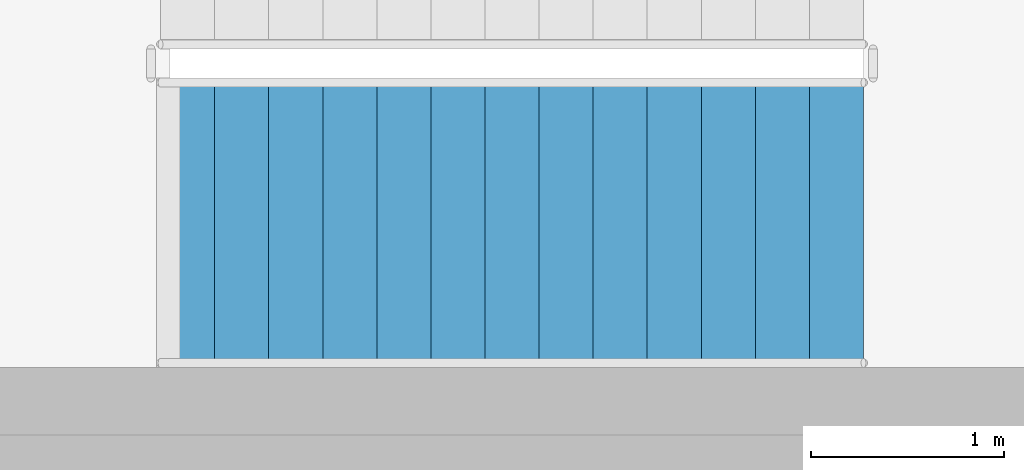
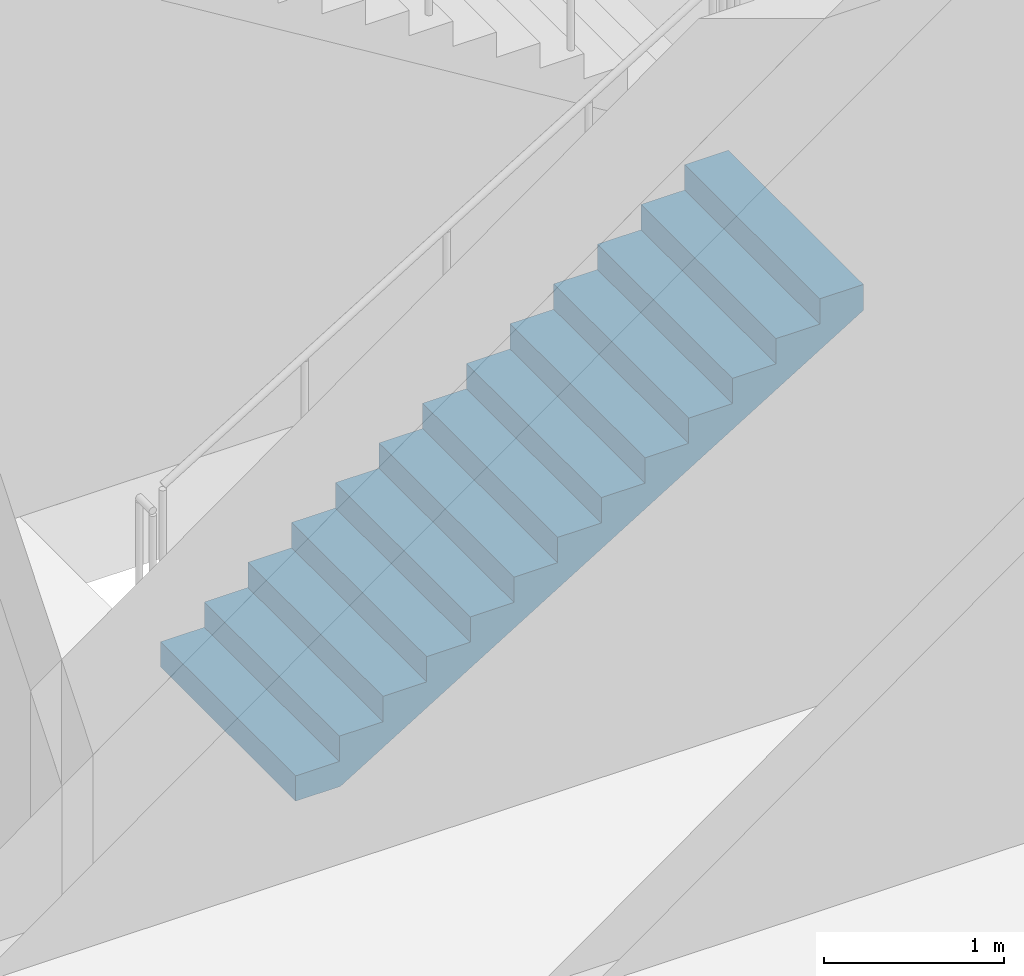
# One storey, part 69 of 91: 1 stair flight, 1 element without a shape of its own.
"""IFC4 building model written with IfcOpenShell, lengths in metres."""

from ifc_helpers import new_model, si_unit, direction, frame, origin, place, context, subcontext, project, spatial, triangles, material, type_object, element, aggregate, save


model = new_model("IFC4")

# Units and contexts
model_context = context("Model", 3, precision=1e-05, world=origin(), true_north=direction((0.0, 1.0)))
body_context = subcontext(model_context, "Body", "Model", "MODEL_VIEW")
ifc_project = project(units=[si_unit("LENGTHUNIT", "METRE"), si_unit("AREAUNIT", "SQUARE_METRE"), si_unit("VOLUMEUNIT", "CUBIC_METRE"), si_unit("PLANEANGLEUNIT", "RADIAN"), si_unit("MASSUNIT", "GRAM", prefix="KILO")], contexts=[model_context])

# Site, building, storey
site_placement = place(None, origin())
site = spatial("IfcSite", under=ifc_project, at=site_placement, CompositionType="ELEMENT")
building_placement = place(site_placement, origin())
building = spatial("IfcBuilding", under=site, at=building_placement, Name="Magnolia Steps Interchange", CompositionType="ELEMENT")
storey_placement = place(building_placement, origin())
storey = spatial("IfcBuildingStorey", under=building, at=storey_placement, Name="L00", CompositionType="ELEMENT", Elevation=0.0)

# Stair, stair flight
ifc_material_1 = material(Name="Concrete C40", Category="concrete")
stair_type = type_object("IfcStairType", Name="Exit stair 1500", PredefinedType="HALF_TURN_STAIR", material=ifc_material_1)
stair_placement = place(storey_placement, origin())
stair = element("IfcStair", 1, at=stair_placement, inside=storey, type_object=stair_type, Name="L00 Stair 4", PredefinedType="HALF_TURN_STAIR")
ifc_material_2 = material(Name="Concrete C40", Category="concrete")
stair_flight_type = type_object("IfcStairFlightType", Name="Exit stair flight", PredefinedType="STRAIGHT", material=ifc_material_2)
stair_flight_placement = place(storey_placement, frame((112.199951171875, 76.050048828125, 0.0), z_axis=(0.0, 0.0, 1.0), x_axis=(1.0, 0.0, 0.0)))
stair_flight = element("IfcStairFlight", 2, at=stair_flight_placement, type_object=stair_flight_type, Name="Stair 4 flight 1", NumberOfRisers=14, NumberOfTreads=13, PredefinedType="STRAIGHT", RiserHeight=0.171428571, TreadLength=0.28, context=body_context, shape_type="Tessellation", body=[
    triangles([(0.0, -0.75, 0.0), (0.287109375, -0.75, 0.0), (3.639892578125, -0.75, 2.052734375), (3.639892578125, -0.75, 2.228515625), (3.360107421875, -0.75, 2.228515625), (3.360107421875, -0.75, 2.05712890625), (3.080078125, -0.75, 2.05712890625), (3.080078125, -0.75, 1.8857421875), (2.800048828125, -0.75, 1.8857421875), (2.800048828125, -0.75, 1.71435546875), (2.52001953125, -0.75, 1.71435546875), (2.52001953125, -0.75, 1.54296875), (2.239990234375, -0.75, 1.54296875), (2.239990234375, -0.75, 1.371337890625), (1.9599609375, -0.75, 1.371337890625), (1.9599609375, -0.75, 1.199951171875), (1.679931640625, -0.75, 1.199951171875), (1.679931640625, -0.75, 1.028564453125), (1.39990234375, -0.75, 1.028564453125), (1.39990234375, -0.75, 0.857177734375), (1.1201171875, -0.75, 0.857177734375), (1.1201171875, -0.75, 0.685791015625), (0.840087890625, -0.75, 0.685791015625), (0.840087890625, -0.75, 0.514404296875), (0.56005859375, -0.75, 0.514404296875), (0.56005859375, -0.75, 0.3427734375), (0.280029296875, -0.75, 0.3427734375), (0.280029296875, -0.75, 0.17138671875), (0.0, -0.75, 0.17138671875), (0.0, 0.75, 0.0), (0.287109375, 0.75, 0.0), (3.639892578125, 0.75, 2.052734375), (3.639892578125, 0.75, 2.228515625), (3.360107421875, 0.75, 2.228515625), (3.360107421875, 0.75, 2.05712890625), (3.080078125, 0.75, 2.05712890625), (3.080078125, 0.75, 1.8857421875), (2.800048828125, 0.75, 1.8857421875), (2.800048828125, 0.75, 1.71435546875), (2.52001953125, 0.75, 1.71435546875), (2.52001953125, 0.75, 1.54296875), (2.239990234375, 0.75, 1.54296875), (2.239990234375, 0.75, 1.371337890625), (1.9599609375, 0.75, 1.371337890625), (1.9599609375, 0.75, 1.199951171875), (1.679931640625, 0.75, 1.199951171875), (1.679931640625, 0.75, 1.028564453125), (1.39990234375, 0.75, 1.028564453125), (1.39990234375, 0.75, 0.857177734375), (1.1201171875, 0.75, 0.857177734375), (1.1201171875, 0.75, 0.685791015625), (0.840087890625, 0.75, 0.685791015625), (0.840087890625, 0.75, 0.514404296875), (0.56005859375, 0.75, 0.514404296875), (0.56005859375, 0.75, 0.3427734375), (0.280029296875, 0.75, 0.3427734375), (0.280029296875, 0.75, 0.17138671875), (0.0, 0.75, 0.17138671875), (0.0, 0.0, 0.0), (0.0, 0.0, 0.0428466796875), (0.0, 0.0, 0.085693359375), (0.0, 0.0, 0.1285400390625), (0.0, 0.0, 0.17138671875), (0.0, -0.05, 0.0), (0.0, -0.05, 0.17138671875), (0.0, 0.05, 0.0), (0.0, 0.05, 0.17138671875), (0.046671549479166664, 0.0, 0.17138671875), (0.09334309895833333, 0.0, 0.17138671875), (0.1400146484375, 0.0, 0.17138671875), (0.18668619791666666, 0.0, 0.17138671875), (0.23335774739583334, 0.0, 0.17138671875), (0.280029296875, 0.0, 0.17138671875), (0.280029296875, -0.05, 0.17138671875), (0.280029296875, 0.05, 0.17138671875), (0.280029296875, 0.0, 0.2142333984375), (0.280029296875, 0.0, 0.257080078125), (0.280029296875, 0.0, 0.2999267578125), (0.280029296875, 0.0, 0.3427734375), (0.280029296875, -0.05, 0.3427734375), (0.280029296875, 0.05, 0.3427734375), (0.3267008463541667, 0.0, 0.3427734375), (0.3733723958333333, 0.0, 0.3427734375), (0.4200439453125, 0.0, 0.3427734375), (0.46671549479166663, 0.0, 0.3427734375), (0.5133870442708334, 0.0, 0.3427734375), (0.56005859375, 0.0, 0.3427734375), (0.56005859375, -0.05, 0.3427734375), (0.56005859375, 0.05, 0.3427734375), (0.56005859375, 0.0, 0.38568115234375), (0.56005859375, 0.0, 0.4285888671875), (0.56005859375, 0.0, 0.47149658203125), (0.56005859375, 0.0, 0.514404296875), (0.56005859375, -0.05, 0.514404296875), (0.56005859375, 0.05, 0.514404296875), (0.6067301432291666, 0.0, 0.514404296875), (0.6534016927083334, 0.0, 0.514404296875), (0.7000732421875, 0.0, 0.514404296875), (0.7467447916666666, 0.0, 0.514404296875), (0.7934163411458334, 0.0, 0.514404296875), (0.840087890625, 0.0, 0.514404296875), (0.840087890625, -0.05, 0.514404296875), (0.840087890625, 0.05, 0.514404296875), (0.840087890625, 0.0, 0.5572509765625), (0.840087890625, 0.0, 0.60009765625), (0.840087890625, 0.0, 0.6429443359375), (0.840087890625, 0.0, 0.685791015625), (0.840087890625, -0.05, 0.685791015625), (0.840087890625, 0.05, 0.685791015625), (0.8867594401041666, 0.0, 0.685791015625), (0.9334309895833334, 0.0, 0.685791015625), (0.9801025390625, 0.0, 0.685791015625), (1.0267740885416667, 0.0, 0.685791015625), (1.0734456380208333, 0.0, 0.685791015625), (1.1201171875, 0.0, 0.685791015625), (1.1201171875, -0.05, 0.685791015625), (1.1201171875, 0.05, 0.685791015625), (1.1201171875, 0.0, 0.7286376953125), (1.1201171875, 0.0, 0.771484375), (1.1201171875, 0.0, 0.8143310546875), (1.1201171875, 0.0, 0.857177734375), (1.1201171875, -0.05, 0.857177734375), (1.1201171875, 0.05, 0.857177734375), (1.1900634765625, 0.0, 0.857177734375), (1.260009765625, 0.0, 0.857177734375), (1.3299560546875, 0.0, 0.857177734375), (1.39990234375, 0.0, 0.857177734375), (1.39990234375, -0.05, 0.857177734375), (1.39990234375, 0.05, 0.857177734375), (1.39990234375, 0.0, 0.9000244140625), (1.39990234375, 0.0, 0.94287109375), (1.39990234375, 0.0, 0.9857177734375), (1.39990234375, 0.0, 1.028564453125), (1.39990234375, -0.05, 1.028564453125), (1.39990234375, 0.05, 1.028564453125), (1.4465738932291667, 0.0, 1.028564453125), (1.4932454427083333, 0.0, 1.028564453125), (1.5399169921875, 0.0, 1.028564453125), (1.5865885416666667, 0.0, 1.028564453125), (1.6332600911458333, 0.0, 1.028564453125), (1.679931640625, 0.0, 1.028564453125), (1.679931640625, -0.05, 1.028564453125), (1.679931640625, 0.05, 1.028564453125), (1.679931640625, 0.0, 1.0714111328125), (1.679931640625, 0.0, 1.1142578125), (1.679931640625, 0.0, 1.1571044921875), (1.679931640625, 0.0, 1.199951171875), (1.679931640625, -0.05, 1.199951171875), (1.679931640625, 0.05, 1.199951171875), (1.7266031901041667, 0.0, 1.199951171875), (1.7732747395833333, 0.0, 1.199951171875), (1.8199462890625, 0.0, 1.199951171875), (1.8666178385416667, 0.0, 1.199951171875), (1.9132893880208333, 0.0, 1.199951171875), (1.9599609375, 0.0, 1.199951171875), (1.9599609375, -0.05, 1.199951171875), (1.9599609375, 0.05, 1.199951171875), (1.9599609375, 0.0, 1.2427978515625), (1.9599609375, 0.0, 1.28564453125), (1.9599609375, 0.0, 1.3284912109375), (1.9599609375, 0.0, 1.371337890625), (1.9599609375, -0.05, 1.371337890625), (1.9599609375, 0.05, 1.371337890625), (2.0066324869791665, 0.0, 1.371337890625), (2.0533040364583335, 0.0, 1.371337890625), (2.0999755859375, 0.0, 1.371337890625), (2.1466471354166665, 0.0, 1.371337890625), (2.1933186848958335, 0.0, 1.371337890625), (2.239990234375, 0.0, 1.371337890625), (2.239990234375, -0.05, 1.371337890625), (2.239990234375, 0.05, 1.371337890625), (2.239990234375, 0.0, 1.41424560546875), (2.239990234375, 0.0, 1.4571533203125), (2.239990234375, 0.0, 1.50006103515625), (2.239990234375, 0.0, 1.54296875), (2.239990234375, -0.05, 1.54296875), (2.239990234375, 0.05, 1.54296875), (2.2866617838541665, 0.0, 1.54296875), (2.3333333333333335, 0.0, 1.54296875), (2.3800048828125, 0.0, 1.54296875), (2.4266764322916665, 0.0, 1.54296875), (2.4733479817708335, 0.0, 1.54296875), (2.52001953125, 0.0, 1.54296875), (2.52001953125, -0.05, 1.54296875), (2.52001953125, 0.05, 1.54296875), (2.52001953125, 0.0, 1.5858154296875), (2.52001953125, 0.0, 1.628662109375), (2.52001953125, 0.0, 1.6715087890625), (2.52001953125, 0.0, 1.71435546875), (2.52001953125, -0.05, 1.71435546875), (2.52001953125, 0.05, 1.71435546875), (2.5666910807291665, 0.0, 1.71435546875), (2.6133626302083335, 0.0, 1.71435546875), (2.6600341796875, 0.0, 1.71435546875), (2.7067057291666665, 0.0, 1.71435546875), (2.7533772786458335, 0.0, 1.71435546875), (2.800048828125, 0.0, 1.71435546875), (2.800048828125, -0.05, 1.71435546875), (2.800048828125, 0.05, 1.71435546875), (2.800048828125, 0.0, 1.7572021484375), (2.800048828125, 0.0, 1.800048828125), (2.800048828125, 0.0, 1.8428955078125), (2.800048828125, 0.0, 1.8857421875), (2.800048828125, -0.05, 1.8857421875), (2.800048828125, 0.05, 1.8857421875), (2.8467203776041665, 0.0, 1.8857421875), (2.8933919270833335, 0.0, 1.8857421875), (2.9400634765625, 0.0, 1.8857421875), (2.9867350260416665, 0.0, 1.8857421875), (3.0334065755208335, 0.0, 1.8857421875), (3.080078125, 0.0, 1.8857421875), (3.080078125, -0.05, 1.8857421875), (3.080078125, 0.05, 1.8857421875), (3.080078125, 0.0, 1.9285888671875), (3.080078125, 0.0, 1.971435546875), (3.080078125, 0.0, 2.0142822265625), (3.080078125, 0.0, 2.05712890625), (3.080078125, -0.05, 2.05712890625), (3.080078125, 0.05, 2.05712890625), (3.1267496744791665, 0.0, 2.05712890625), (3.1734212239583335, 0.0, 2.05712890625), (3.2200927734375, 0.0, 2.05712890625), (3.2667643229166665, 0.0, 2.05712890625), (3.3134358723958335, 0.0, 2.05712890625), (3.360107421875, 0.0, 2.05712890625), (3.360107421875, -0.05, 2.05712890625), (3.360107421875, 0.05, 2.05712890625), (3.360107421875, 0.0, 2.0999755859375), (3.360107421875, 0.0, 2.142822265625), (3.360107421875, 0.0, 2.1856689453125), (3.360107421875, 0.0, 2.228515625), (3.360107421875, -0.05, 2.228515625), (3.360107421875, 0.05, 2.228515625), (3.4300537109375, 0.0, 2.228515625), (3.5, 0.0, 2.228515625), (3.5699462890625, 0.0, 2.228515625), (3.639892578125, 0.0, 2.228515625), (3.639892578125, -0.05, 2.228515625), (3.639892578125, 0.05, 2.228515625), (3.639892578125, 0.0, 2.1845703125), (3.639892578125, 0.0, 2.140625), (3.639892578125, 0.0, 2.0966796875), (3.639892578125, 0.0, 2.052734375), (3.639892578125, -0.05, 2.052734375), (3.639892578125, 0.05, 2.052734375), (3.582085971174569, 0.0, 2.0173424030172415), (3.524279364224138, 0.0, 1.9819504310344827), (3.466472757273707, 0.0, 1.9465584590517242), (3.408666150323276, 0.0, 1.9111664870689655), (3.3508595433728448, 0.0, 1.8757745150862069), (3.2930529364224137, 0.0, 1.8403825431034484), (3.2352463294719827, 0.0, 1.8049905711206897), (3.1774397225215516, 0.0, 1.769598599137931), (3.1196331155711206, 0.0, 1.7342066271551724), (3.0618265086206895, 0.0, 1.6988146551724137), (3.004019901670259, 0.0, 1.6634226831896552), (2.9462132947198274, 0.0, 1.6280307112068966), (2.888406687769397, 0.0, 1.592638739224138), (2.8306000808189653, 0.0, 1.5572467672413794), (2.7727934738685347, 0.0, 1.5218547952586206), (2.714986866918103, 0.0, 1.486462823275862), (2.6571802599676726, 0.0, 1.4510708512931034), (2.599373653017241, 0.0, 1.4156788793103448), (2.5415670460668105, 0.0, 1.3802869073275863), (2.483760439116379, 0.0, 1.3448949353448276), (2.4259538321659484, 0.0, 1.309502963362069), (2.3681472252155173, 0.0, 1.2741109913793105), (2.3103406182650863, 0.0, 1.2387190193965516), (2.2525340113146552, 0.0, 1.2033270474137931), (2.194727404364224, 0.0, 1.1679350754310345), (2.136920797413793, 0.0, 1.1325431034482758), (2.079114190463362, 0.0, 1.0971511314655173), (2.021307583512931, 0.0, 1.0617591594827587), (1.9635009765625, 0.0, 1.0263671875), (1.905694369612069, 0.0, 0.9909752155172413), (1.847887762661638, 0.0, 0.9555832435344827), (1.7900811557112069, 0.0, 0.9201912715517242), (1.7322745487607758, 0.0, 0.8847992995689655), (1.6744679418103448, 0.0, 0.8494073275862069), (1.6166613348599137, 0.0, 0.8140153556034482), (1.5588547279094827, 0.0, 0.7786233836206897), (1.5010481209590516, 0.0, 0.743231411637931), (1.4432415140086206, 0.0, 0.7078394396551724), (1.3854349070581895, 0.0, 0.6724474676724137), (1.3276283001077585, 0.0, 0.6370554956896552), (1.2698216931573274, 0.0, 0.6016635237068966), (1.2120150862068964, 0.0, 0.5662715517241379), (1.1542084792564653, 0.0, 0.5308795797413792), (1.0964018723060347, 0.0, 0.4954876077586208), (1.0385952653556036, 0.0, 0.4600956357758621), (0.9807886584051726, 0.0, 0.4247036637931034), (0.9229820514547415, 0.0, 0.38931169181034475), (0.8651754445043105, 0.0, 0.3539197198275863), (0.8073688375538794, 0.0, 0.3185277478448276), (0.7495622306034484, 0.0, 0.28313577586206895), (0.6917556236530173, 0.0, 0.24774380387931028), (0.6339490167025863, 0.0, 0.21235183189655182), (0.5761424097521552, 0.0, 0.17695985991379315), (0.5183358028017242, 0.0, 0.14156788793103448), (0.46052919585129315, 0.0, 0.1061759159482758), (0.4027225889008621, 0.0, 0.07078394396551735), (0.34491598195043105, 0.0, 0.03539197198275845), (0.287109375, 0.0, 0.0), (0.287109375, -0.05, 0.0), (0.287109375, 0.05, 0.0), (0.2392578125, 0.0, 0.0), (0.19140625, 0.0, 0.0), (0.1435546875, 0.0, 0.0), (0.095703125, 0.0, 0.0), (0.0478515625, 0.0, 0.0)], [[1, 2, 3], [3, 4, 5], [3, 5, 6], [3, 6, 7], [3, 7, 8], [8, 9, 10], [3, 8, 10], [10, 11, 12], [3, 10, 12], [12, 13, 14], [3, 12, 14], [14, 15, 16], [3, 14, 16], [16, 17, 18], [3, 16, 18], [18, 19, 20], [3, 18, 20], [20, 21, 22], [3, 20, 22], [22, 23, 24], [3, 22, 24], [24, 25, 26], [3, 24, 26], [26, 27, 28], [3, 26, 28], [1, 3, 28], [28, 29, 1], [30, 32, 31], [32, 34, 33], [32, 35, 34], [32, 36, 35], [32, 37, 36], [37, 39, 38], [32, 39, 37], [39, 41, 40], [32, 41, 39], [41, 43, 42], [32, 43, 41], [43, 45, 44], [32, 45, 43], [45, 47, 46], [32, 47, 45], [47, 49, 48], [32, 49, 47], [49, 51, 50], [32, 51, 49], [51, 53, 52], [32, 53, 51], [53, 55, 54], [32, 55, 53], [55, 57, 56], [32, 57, 55], [30, 57, 32], [57, 30, 58], [1, 29, 65], [1, 65, 64], [64, 60, 59], [64, 61, 60], [64, 65, 61], [65, 62, 61], [65, 63, 62], [30, 67, 58], [30, 66, 67], [66, 59, 60], [66, 60, 61], [66, 61, 67], [67, 61, 62], [67, 62, 63], [29, 28, 74], [29, 74, 65], [65, 68, 63], [65, 69, 68], [65, 70, 69], [65, 74, 70], [74, 71, 70], [74, 72, 71], [74, 73, 72], [58, 75, 57], [58, 67, 75], [67, 63, 68], [67, 68, 69], [67, 69, 70], [67, 70, 75], [75, 70, 71], [75, 71, 72], [75, 72, 73], [28, 27, 80], [28, 80, 74], [74, 76, 73], [74, 77, 76], [74, 80, 77], [80, 78, 77], [80, 79, 78], [57, 81, 56], [57, 75, 81], [75, 73, 76], [75, 76, 77], [75, 77, 81], [81, 77, 78], [81, 78, 79], [27, 26, 88], [27, 88, 80], [80, 82, 79], [80, 83, 82], [80, 84, 83], [80, 88, 84], [88, 85, 84], [88, 86, 85], [88, 87, 86], [56, 89, 55], [56, 81, 89], [81, 79, 82], [81, 82, 83], [81, 83, 84], [81, 84, 89], [89, 84, 85], [89, 85, 86], [89, 86, 87], [26, 25, 94], [26, 94, 88], [88, 90, 87], [88, 91, 90], [88, 94, 91], [94, 92, 91], [94, 93, 92], [55, 95, 54], [55, 89, 95], [89, 87, 90], [89, 90, 91], [89, 91, 95], [95, 91, 92], [95, 92, 93], [25, 24, 102], [25, 102, 94], [94, 96, 93], [94, 97, 96], [94, 98, 97], [94, 102, 98], [102, 99, 98], [102, 100, 99], [102, 101, 100], [54, 103, 53], [54, 95, 103], [95, 93, 96], [95, 96, 97], [95, 97, 98], [95, 98, 103], [103, 98, 99], [103, 99, 100], [103, 100, 101], [24, 23, 108], [24, 108, 102], [102, 104, 101], [102, 105, 104], [102, 108, 105], [108, 106, 105], [108, 107, 106], [53, 109, 52], [53, 103, 109], [103, 101, 104], [103, 104, 105], [103, 105, 109], [109, 105, 106], [109, 106, 107], [23, 22, 116], [23, 116, 108], [108, 110, 107], [108, 111, 110], [108, 112, 111], [108, 116, 112], [116, 113, 112], [116, 114, 113], [116, 115, 114], [52, 117, 51], [52, 109, 117], [109, 107, 110], [109, 110, 111], [109, 111, 112], [109, 112, 117], [117, 112, 113], [117, 113, 114], [117, 114, 115], [22, 21, 122], [22, 122, 116], [116, 118, 115], [116, 119, 118], [116, 122, 119], [122, 120, 119], [122, 121, 120], [51, 123, 50], [51, 117, 123], [117, 115, 118], [117, 118, 119], [117, 119, 123], [123, 119, 120], [123, 120, 121], [21, 20, 128], [21, 128, 122], [122, 124, 121], [122, 125, 124], [122, 128, 125], [128, 126, 125], [128, 127, 126], [50, 129, 49], [50, 123, 129], [123, 121, 124], [123, 124, 125], [123, 125, 129], [129, 125, 126], [129, 126, 127], [20, 19, 134], [20, 134, 128], [128, 130, 127], [128, 131, 130], [128, 134, 131], [134, 132, 131], [134, 133, 132], [49, 135, 48], [49, 129, 135], [129, 127, 130], [129, 130, 131], [129, 131, 135], [135, 131, 132], [135, 132, 133], [19, 18, 142], [19, 142, 134], [134, 136, 133], [134, 137, 136], [134, 138, 137], [134, 142, 138], [142, 139, 138], [142, 140, 139], [142, 141, 140], [48, 143, 47], [48, 135, 143], [135, 133, 136], [135, 136, 137], [135, 137, 138], [135, 138, 143], [143, 138, 139], [143, 139, 140], [143, 140, 141], [18, 17, 148], [18, 148, 142], [142, 144, 141], [142, 145, 144], [142, 148, 145], [148, 146, 145], [148, 147, 146], [47, 149, 46], [47, 143, 149], [143, 141, 144], [143, 144, 145], [143, 145, 149], [149, 145, 146], [149, 146, 147], [17, 16, 156], [17, 156, 148], [148, 150, 147], [148, 151, 150], [148, 152, 151], [148, 156, 152], [156, 153, 152], [156, 154, 153], [156, 155, 154], [46, 157, 45], [46, 149, 157], [149, 147, 150], [149, 150, 151], [149, 151, 152], [149, 152, 157], [157, 152, 153], [157, 153, 154], [157, 154, 155], [16, 15, 162], [16, 162, 156], [156, 158, 155], [156, 159, 158], [156, 162, 159], [162, 160, 159], [162, 161, 160], [45, 163, 44], [45, 157, 163], [157, 155, 158], [157, 158, 159], [157, 159, 163], [163, 159, 160], [163, 160, 161], [15, 14, 170], [15, 170, 162], [162, 164, 161], [162, 165, 164], [162, 166, 165], [162, 170, 166], [170, 167, 166], [170, 168, 167], [170, 169, 168], [44, 171, 43], [44, 163, 171], [163, 161, 164], [163, 164, 165], [163, 165, 166], [163, 166, 171], [171, 166, 167], [171, 167, 168], [171, 168, 169], [14, 13, 176], [14, 176, 170], [170, 172, 169], [170, 173, 172], [170, 176, 173], [176, 174, 173], [176, 175, 174], [43, 177, 42], [43, 171, 177], [171, 169, 172], [171, 172, 173], [171, 173, 177], [177, 173, 174], [177, 174, 175], [13, 12, 184], [13, 184, 176], [176, 178, 175], [176, 179, 178], [176, 180, 179], [176, 184, 180], [184, 181, 180], [184, 182, 181], [184, 183, 182], [42, 185, 41], [42, 177, 185], [177, 175, 178], [177, 178, 179], [177, 179, 180], [177, 180, 185], [185, 180, 181], [185, 181, 182], [185, 182, 183], [12, 11, 190], [12, 190, 184], [184, 186, 183], [184, 187, 186], [184, 190, 187], [190, 188, 187], [190, 189, 188], [41, 191, 40], [41, 185, 191], [185, 183, 186], [185, 186, 187], [185, 187, 191], [191, 187, 188], [191, 188, 189], [11, 10, 198], [11, 198, 190], [190, 192, 189], [190, 193, 192], [190, 194, 193], [190, 198, 194], [198, 195, 194], [198, 196, 195], [198, 197, 196], [40, 199, 39], [40, 191, 199], [191, 189, 192], [191, 192, 193], [191, 193, 194], [191, 194, 199], [199, 194, 195], [199, 195, 196], [199, 196, 197], [10, 9, 204], [10, 204, 198], [198, 200, 197], [198, 201, 200], [198, 204, 201], [204, 202, 201], [204, 203, 202], [39, 205, 38], [39, 199, 205], [199, 197, 200], [199, 200, 201], [199, 201, 205], [205, 201, 202], [205, 202, 203], [9, 8, 212], [9, 212, 204], [204, 206, 203], [204, 207, 206], [204, 208, 207], [204, 212, 208], [212, 209, 208], [212, 210, 209], [212, 211, 210], [38, 213, 37], [38, 205, 213], [205, 203, 206], [205, 206, 207], [205, 207, 208], [205, 208, 213], [213, 208, 209], [213, 209, 210], [213, 210, 211], [8, 7, 218], [8, 218, 212], [212, 214, 211], [212, 215, 214], [212, 218, 215], [218, 216, 215], [218, 217, 216], [37, 219, 36], [37, 213, 219], [213, 211, 214], [213, 214, 215], [213, 215, 219], [219, 215, 216], [219, 216, 217], [7, 6, 226], [7, 226, 218], [218, 220, 217], [218, 221, 220], [218, 222, 221], [218, 226, 222], [226, 223, 222], [226, 224, 223], [226, 225, 224], [36, 227, 35], [36, 219, 227], [219, 217, 220], [219, 220, 221], [219, 221, 222], [219, 222, 227], [227, 222, 223], [227, 223, 224], [227, 224, 225], [6, 5, 232], [6, 232, 226], [226, 228, 225], [226, 229, 228], [226, 232, 229], [232, 230, 229], [232, 231, 230], [35, 233, 34], [35, 227, 233], [227, 225, 228], [227, 228, 229], [227, 229, 233], [233, 229, 230], [233, 230, 231], [5, 4, 238], [5, 238, 232], [232, 234, 231], [232, 235, 234], [232, 238, 235], [238, 236, 235], [238, 237, 236], [34, 239, 33], [34, 233, 239], [233, 231, 234], [233, 234, 235], [233, 235, 239], [239, 235, 236], [239, 236, 237], [4, 3, 244], [4, 244, 238], [238, 240, 237], [238, 241, 240], [238, 244, 241], [244, 242, 241], [244, 243, 242], [33, 245, 32], [33, 239, 245], [239, 237, 240], [239, 240, 241], [239, 241, 245], [245, 241, 242], [245, 242, 243], [3, 2, 304], [3, 304, 244], [244, 246, 243], [244, 247, 246], [244, 248, 247], [244, 249, 248], [244, 250, 249], [244, 251, 250], [244, 252, 251], [244, 253, 252], [244, 254, 253], [244, 255, 254], [244, 256, 255], [244, 257, 256], [244, 258, 257], [244, 259, 258], [244, 260, 259], [244, 261, 260], [244, 262, 261], [244, 263, 262], [244, 264, 263], [244, 265, 264], [244, 266, 265], [244, 267, 266], [244, 268, 267], [244, 269, 268], [244, 270, 269], [244, 271, 270], [244, 272, 271], [244, 273, 272], [244, 274, 273], [244, 304, 274], [304, 275, 274], [304, 276, 275], [304, 277, 276], [304, 278, 277], [304, 279, 278], [304, 280, 279], [304, 281, 280], [304, 282, 281], [304, 283, 282], [304, 284, 283], [304, 285, 284], [304, 286, 285], [304, 287, 286], [304, 288, 287], [304, 289, 288], [304, 290, 289], [304, 291, 290], [304, 292, 291], [304, 293, 292], [304, 294, 293], [304, 295, 294], [304, 296, 295], [304, 297, 296], [304, 298, 297], [304, 299, 298], [304, 300, 299], [304, 301, 300], [304, 302, 301], [304, 303, 302], [32, 305, 31], [32, 245, 305], [245, 243, 246], [245, 246, 247], [245, 247, 248], [245, 248, 249], [245, 249, 250], [245, 250, 251], [245, 251, 252], [245, 252, 253], [245, 253, 254], [245, 254, 255], [245, 255, 256], [245, 256, 257], [245, 257, 258], [245, 258, 259], [245, 259, 260], [245, 260, 261], [245, 261, 262], [245, 262, 263], [245, 263, 264], [245, 264, 265], [245, 265, 266], [245, 266, 267], [245, 267, 268], [245, 268, 269], [245, 269, 270], [245, 270, 271], [245, 271, 272], [245, 272, 273], [245, 273, 274], [245, 274, 305], [305, 274, 275], [305, 275, 276], [305, 276, 277], [305, 277, 278], [305, 278, 279], [305, 279, 280], [305, 280, 281], [305, 281, 282], [305, 282, 283], [305, 283, 284], [305, 284, 285], [305, 285, 286], [305, 286, 287], [305, 287, 288], [305, 288, 289], [305, 289, 290], [305, 290, 291], [305, 291, 292], [305, 292, 293], [305, 293, 294], [305, 294, 295], [305, 295, 296], [305, 296, 297], [305, 297, 298], [305, 298, 299], [305, 299, 300], [305, 300, 301], [305, 301, 302], [305, 302, 303], [2, 1, 64], [2, 64, 304], [304, 306, 303], [304, 307, 306], [304, 308, 307], [304, 64, 308], [64, 309, 308], [64, 310, 309], [64, 59, 310], [31, 66, 30], [31, 305, 66], [305, 303, 306], [305, 306, 307], [305, 307, 308], [305, 308, 66], [66, 308, 309], [66, 309, 310], [66, 310, 59]], closed=True),
])
aggregate(stair, [stair_flight])

save(model, "model.ifc")
